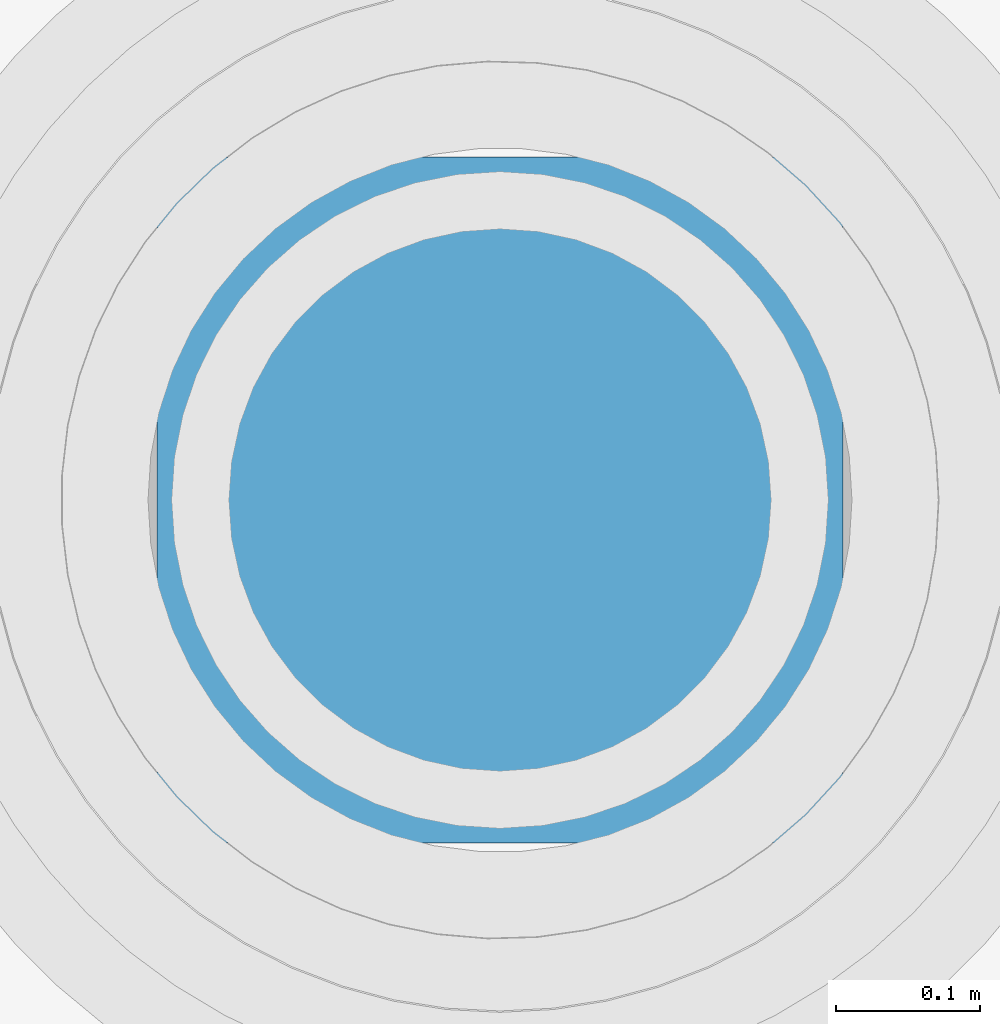
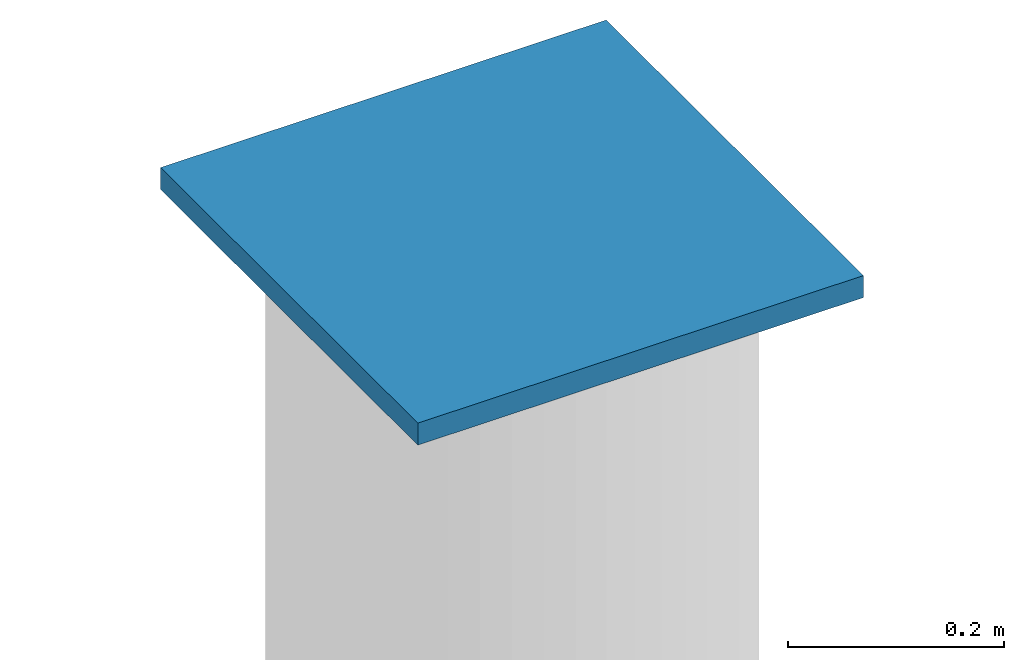
# One storey, part 6 of 8: 1 discrete accessory.
"""IFC4 building model written with IfcOpenShell, lengths in metres."""

from ifc_helpers import new_model, si_unit, direction, frame, origin, origin_2d, place, context, subcontext, project, spatial, rectangle, extrude, element, save


model = new_model("IFC4")

# Units and contexts
model_context = context("Model", 3, precision=1e-05, world=origin(), true_north=direction((0.0, 1.0)))
body_context = subcontext(model_context, "Body", "Model", "MODEL_VIEW")
ifc_project = project(units=[si_unit("LENGTHUNIT", "METRE"), si_unit("AREAUNIT", "SQUARE_METRE"), si_unit("VOLUMEUNIT", "CUBIC_METRE"), si_unit("PLANEANGLEUNIT", "RADIAN"), si_unit("MASSUNIT", "GRAM", prefix="KILO")], contexts=[model_context])

# Site, building, storey
site_placement = place(None, origin())
site = spatial("IfcSite", under=ifc_project, at=site_placement, CompositionType="ELEMENT")
building_placement = place(site_placement, origin())
building = spatial("IfcBuilding", under=site, at=building_placement, Name="Amberfall Residences", CompositionType="ELEMENT")
storey_placement = place(building_placement, frame((0.0, 0.0, 301.60009765625)))
storey = spatial("IfcBuildingStorey", under=building, at=storey_placement, Name="L81 Crown", CompositionType="ELEMENT", Elevation=301.60009765625)

# Discrete accessory
discrete_accessory_placement = place(storey_placement, frame((74.5, 43.89990234375, 52.199951171875), z_axis=(0.0, 0.0, 1.0), x_axis=(1.0, 0.0, 0.0)))
element("IfcDiscreteAccessory", 1, at=discrete_accessory_placement, inside=storey, Name="End cap plate spire", PredefinedType="BRACKET", context=body_context, shape_type="SweptSolid", body=[
    extrude(rectangle(XDim=0.47705078125, YDim=0.47705078125, at=origin_2d()), origin(), (0.0, 0.0, 1.0), 0.02490234375),
])

save(model, "model.ifc")
